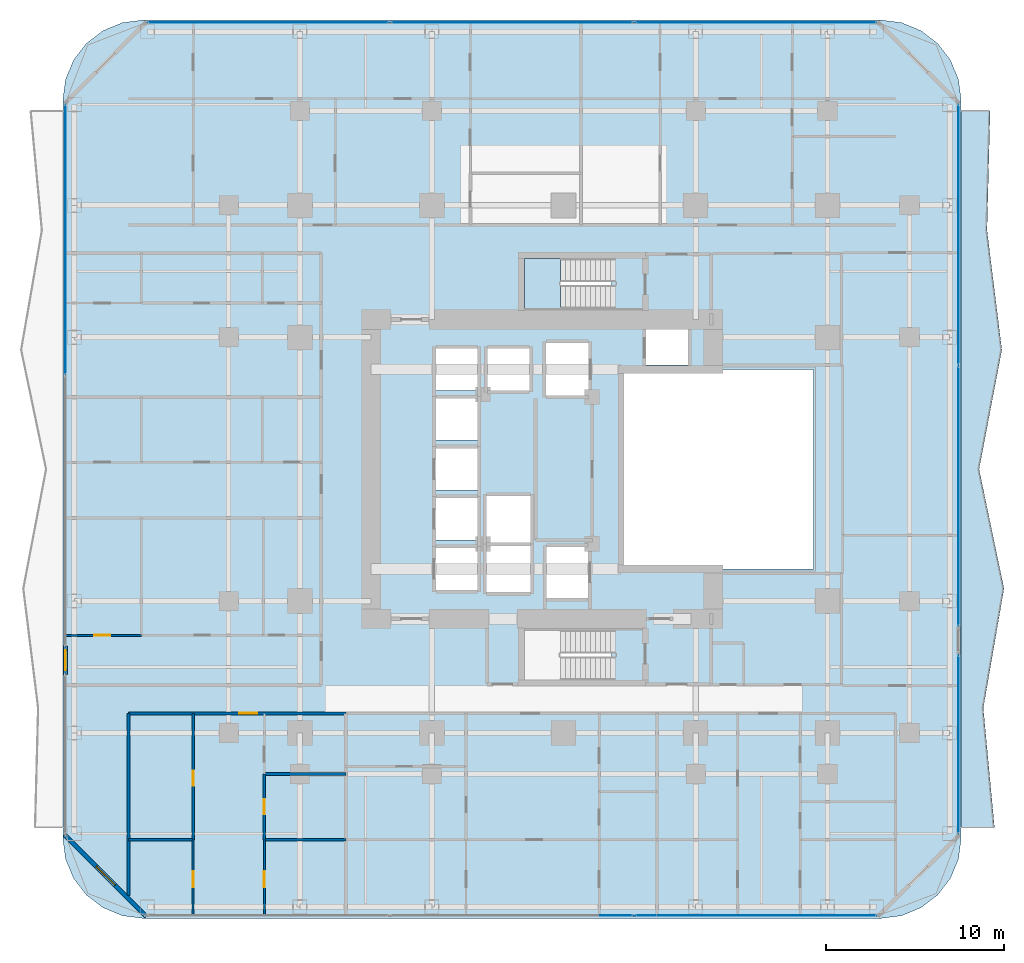
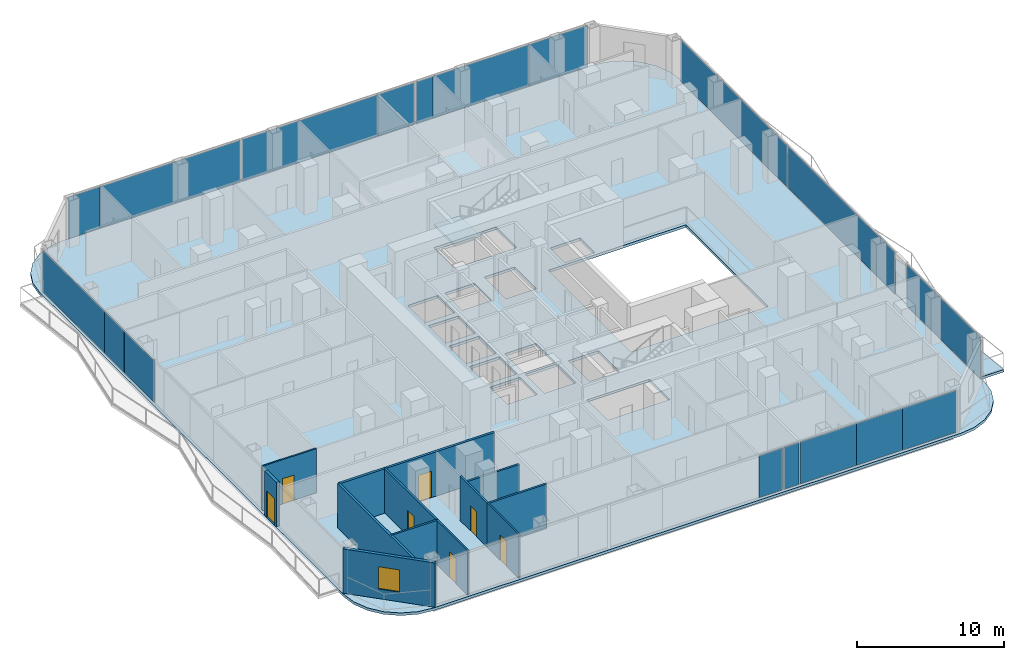
# One storey, part 19 of 29: 18 plates, 12 walls, 7 doors, 3 slabs, 1 window, 8 openings, 6 elements without a shape of their own.
"""IFC4 building model written with IfcOpenShell, lengths in metres."""

from ifc_helpers import new_model, si_unit, direction, frame, frame_2d, origin, origin_2d, place, context, subcontext, project, spatial, polyline, rectangle, outline, extrude, material, layer, layer_set, type_object, element, fill, aggregate, save


model = new_model("IFC4")

# Units and contexts
model_context = context("Model", 3, precision=1e-05, world=origin(), true_north=direction((0.0, 1.0)))
body_context = subcontext(model_context, "Body", "Model", "MODEL_VIEW")
ifc_project = project(units=[si_unit("LENGTHUNIT", "METRE"), si_unit("AREAUNIT", "SQUARE_METRE"), si_unit("VOLUMEUNIT", "CUBIC_METRE"), si_unit("PLANEANGLEUNIT", "RADIAN"), si_unit("MASSUNIT", "GRAM", prefix="KILO")], contexts=[model_context])

# Site, building, storey
site_placement = place(None, origin())
site = spatial("IfcSite", under=ifc_project, at=site_placement, CompositionType="ELEMENT")
building_placement = place(site_placement, origin())
building = spatial("IfcBuilding", under=site, at=building_placement, Name="Khorvyn Point Tower", CompositionType="ELEMENT")
storey_placement = place(building_placement, frame((0.0, 0.0, 61.800048828125)))
storey = spatial("IfcBuildingStorey", under=building, at=storey_placement, Name="L16", CompositionType="ELEMENT", Elevation=61.800048828125)

# Slabs
ifc_material_1 = material(Name="Concrete C35/45", Category="concrete")
ifc_layer_1 = layer(ifc_material_1, 0.219970703125)
ifc_layer_set_1 = layer_set([ifc_layer_1], Name="Concrete C35/45 Structural Floor Slab 220")
slab_type_1 = type_object("IfcSlabType", Name="Concrete C35/45 Structural Floor Slab 220", PredefinedType="FLOOR", material=ifc_layer_set_1)
slab_1_placement = place(storey_placement, frame((0.0, 0.0, -0.219970703125)))
element("IfcSlab", 1, at=slab_1_placement, inside=storey, type_object=slab_type_1, Name="L16 Main Structural Floor Slab", PredefinedType="FLOOR", context=body_context, shape_type="SweptSolid", body=[
    extrude(outline(polyline([(-23.60009765625, -25.199951171875), (-24.7646484375, -25.046630859375), (-25.85009765625, -24.59716796875), (-26.781982421875, -23.882080078125), (-27.4970703125, -22.949951171875), (-27.94677734375, -21.86474609375), (-28.10009765625, -20.699951171875), (-28.10009765625, 20.699951171875), (-27.94677734375, 21.86474609375), (-27.4970703125, 22.949951171875), (-26.781982421875, 23.882080078125), (-25.85009765625, 24.59716796875), (-24.7646484375, 25.046630859375), (-23.60009765625, 25.199951171875), (17.800048828125, 25.199951171875), (18.964599609375, 25.046630859375), (20.050048828125, 24.59716796875), (20.98193359375, 23.882080078125), (21.697021484375, 22.949951171875), (22.146728515625, 21.86474609375), (22.300048828125, 20.699951171875), (22.300048828125, -20.699951171875), (22.146728515625, -21.86474609375), (21.697021484375, -22.949951171875), (20.98193359375, -23.882080078125), (20.050048828125, -24.59716796875), (18.964599609375, -25.046630859375), (17.800048828125, -25.199951171875), (-23.60009765625, -25.199951171875)]), holes=[polyline([(-4.824951171875, -6.77490234375), (-4.824951171875, -4.425048828125), (-7.175048828125, -4.425048828125), (-7.175048828125, -6.77490234375), (-4.824951171875, -6.77490234375)]), polyline([(-4.324951171875, -6.89990234375), (-1.875, -6.89990234375), (-1.875, -4.300048828125), (-4.324951171875, -4.300048828125), (-4.324951171875, -6.89990234375)]), polyline([(-7.175048828125, -3.97509765625), (-4.824951171875, -3.97509765625), (-4.824951171875, -1.625), (-7.175048828125, -1.625), (-7.175048828125, -3.97509765625)]), polyline([(-7.175048828125, -1.175048828125), (-4.824951171875, -1.175048828125), (-4.824951171875, 1.175048828125), (-7.175048828125, 1.175048828125), (-7.175048828125, -1.175048828125)]), polyline([(-7.175048828125, 1.625), (-4.824951171875, 1.625), (-4.824951171875, 3.97509765625), (-7.175048828125, 3.97509765625), (-7.175048828125, 1.625)]), polyline([(-7.175048828125, 4.425048828125), (-4.824951171875, 4.425048828125), (-4.824951171875, 6.77490234375), (-7.175048828125, 6.77490234375), (-7.175048828125, 4.425048828125)]), polyline([(-4.27490234375, 4.425048828125), (-1.925048828125, 4.425048828125), (-1.925048828125, 6.77490234375), (-4.27490234375, 6.77490234375), (-4.27490234375, 4.425048828125)]), polyline([(2.679931640625, -11.820068359375), (2.679931640625, -9.02001953125), (-2.199951171875, -9.02001953125), (-2.199951171875, -11.820068359375), (2.679931640625, -11.820068359375)]), polyline([(-0.97509765625, -7.22509765625), (1.375, -7.22509765625), (1.375, -4.375), (-0.97509765625, -4.375), (-0.97509765625, -7.22509765625)]), polyline([(-4.324951171875, -4.10009765625), (-1.875, -4.10009765625), (-1.875, -1.5), (-4.324951171875, -1.5), (-4.324951171875, -4.10009765625)]), polyline([(3.199951171875, -5.60009765625), (14.0, -5.60009765625), (14.0, 5.60009765625), (3.199951171875, 5.60009765625), (3.199951171875, -5.60009765625)]), polyline([(-1.0, 4.125), (1.39990234375, 4.125), (1.39990234375, 7.074951171875), (-1.0, 7.074951171875), (-1.0, 4.125)]), polyline([(4.625, 5.85009765625), (6.97509765625, 5.85009765625), (6.97509765625, 7.830078125), (4.625, 7.830078125), (4.625, 5.85009765625)]), polyline([(-2.199951171875, 9.02001953125), (2.679931640625, 9.02001953125), (2.679931640625, 11.820068359375), (-2.199951171875, 11.820068359375), (-2.199951171875, 9.02001953125)])]), origin(), (0.0, 0.0, 1.0), 0.219970703125),
])
ifc_material_2 = material(Name="Concrete C40/50", Category="concrete")
ifc_layer_2 = layer(ifc_material_2, 0.2099609375)
ifc_layer_set_2 = layer_set([ifc_layer_2], Name="Concrete C40/50 Rippling Balcony Slab 210")
slab_type_2 = type_object("IfcSlabType", Name="Concrete C40/50 Rippling Balcony Slab 210", PredefinedType="USERDEFINED", material=ifc_layer_set_2)
slab_2_placement = place(storey_placement, frame((0.0, 0.0, -0.2099609375)))
element("IfcSlab", 2, at=slab_2_placement, inside=storey, type_object=slab_type_2, Name="L16 East Sinusoidal Rippling Balcony", ObjectType="BALCONY", PredefinedType="USERDEFINED", context=body_context, shape_type="SweptSolid", body=[
    extrude(outline(polyline([(22.300048828125, -20.10009765625), (24.168212890625, -20.10009765625), (23.53955078125, -13.39990234375), (24.700927734375, -6.699951171875), (23.302978515625, 0.0), (24.580810546875, 6.699951171875), (23.748779296875, 13.39990234375), (23.9228515625, 20.10009765625), (22.300048828125, 20.10009765625), (22.300048828125, -20.10009765625)])), origin(), (0.0, 0.0, 1.0), 0.2099609375),
])

# Stair, slab
stair_type = type_object("IfcStairType", Name="Tower Concrete C40/50 Dogleg Exit Stair", PredefinedType="HALF_TURN_STAIR", material=ifc_material_2)
stair_placement = place(storey_placement, origin())
stair = element("IfcStair", 3, at=stair_placement, inside=storey, type_object=stair_type, Name="L16 Tower Smokeproof Exit Stair North", PredefinedType="HALF_TURN_STAIR")
ifc_layer_3 = layer(ifc_material_2, 0.199951171875)
ifc_layer_set_3 = layer_set([ifc_layer_3], Name="Concrete C40/50 Stair Landing Slab 200")
slab_type_3 = type_object("IfcSlabType", Name="Concrete C40/50 Stair Landing Slab 200", PredefinedType="LANDING", material=ifc_layer_set_3)
slab_3_placement = place(storey_placement, frame((0.0, 0.0, 1.75)))
slab_3 = element("IfcSlab", 4, at=slab_3_placement, type_object=slab_type_3, Name="ST-02 landing 1", PredefinedType="LANDING", context=body_context, shape_type="SweptSolid", body=[
    extrude(outline(polyline([(-0.179931640625, 11.820068359375), (-2.199951171875, 11.820068359375), (-2.199951171875, 9.02001953125), (-0.179931640625, 9.02001953125), (-0.179931640625, 11.820068359375)])), origin(), (0.0, 0.0, 1.0), 0.199951171875),
])
aggregate(stair, [slab_3])

# Curtain wall, plates
ifc_material_3 = material(Name="Anodised aluminium 6063-T6 and laminated Low-E glass", Category="aluminium")
ifc_layer_4 = layer(ifc_material_3, 0.18994140625)
ifc_layer_set_4 = layer_set([ifc_layer_4], Name="Stick-Built Finned Residential Curtain Wall CW-SYS-02")
curtain_wall_type = type_object("IfcCurtainWallType", Name="Stick-Built Finned Residential Curtain Wall CW-SYS-02", PredefinedType="NOTDEFINED", material=ifc_layer_set_4)
curtain_wall_1_placement = place(storey_placement, origin())
curtain_wall_1 = element("IfcCurtainWall", 5, at=curtain_wall_1_placement, inside=storey, type_object=curtain_wall_type, Name="Curtain Wall", PredefinedType="NOTDEFINED")
ifc_material_4 = material(Name="Laminated Low-E insulated glass", Category="glass")
ifc_layer_5 = layer(ifc_material_4, 0.028076171875)
ifc_layer_set_5 = layer_set([ifc_layer_5], Name="Tempered Low-E Vision Glazing Panel CW-GL28")
plate_type = type_object("IfcPlateType", Name="Tempered Low-E Vision Glazing Panel CW-GL28", PredefinedType="CURTAIN_PANEL", material=ifc_layer_set_5)
plate_1_placement = place(storey_placement, frame((4.591064453125, -25.050048828125, 0.099853515625), z_axis=(0.0, 0.0, 1.0), x_axis=(-1.0, 0.0, 0.0)))
plate_1 = element("IfcPlate", 6, at=plate_1_placement, type_object=plate_type, Name="Panel", PredefinedType="CURTAIN_PANEL", context=body_context, shape_type="SweptSolid", body=[
    extrude(rectangle(XDim=1.174072265625, YDim=0.028076171875, at=origin_2d()), origin(), (0.0, 0.0, 1.0), 3.47998046875),
])
plate_2_placement = place(storey_placement, frame((7.5029296875, -25.050048828125, 0.099853515625), z_axis=(0.0, 0.0, 1.0), x_axis=(-1.0, 0.0, 0.0)))
plate_2 = element("IfcPlate", 7, at=plate_2_placement, type_object=plate_type, Name="Panel", PredefinedType="CURTAIN_PANEL", context=body_context, shape_type="SweptSolid", body=[
    extrude(rectangle(XDim=4.39404296875, YDim=0.028076171875, at=origin_2d()), origin(), (0.0, 0.0, 1.0), 3.47998046875),
])
plate_3_placement = place(storey_placement, frame((11.5166015625, -25.050048828125, 0.099853515625), z_axis=(0.0, 0.0, 1.0), x_axis=(-1.0, 0.0, 0.0)))
plate_3 = element("IfcPlate", 8, at=plate_3_placement, type_object=plate_type, Name="Panel", PredefinedType="CURTAIN_PANEL", context=body_context, shape_type="SweptSolid", body=[
    extrude(rectangle(XDim=3.616943359375, YDim=0.028076171875, at=origin_2d()), origin(), (0.0, 0.0, 1.0), 3.47998046875),
])
plate_4_placement = place(storey_placement, frame((15.439453125, -25.050048828125, 0.099853515625), z_axis=(0.0, 0.0, 1.0), x_axis=(-1.0, 0.0, 0.0)))
plate_4 = element("IfcPlate", 9, at=plate_4_placement, type_object=plate_type, Name="Panel", PredefinedType="CURTAIN_PANEL", context=body_context, shape_type="SweptSolid", body=[
    extrude(rectangle(XDim=4.212890625, YDim=0.028076171875, at=origin_2d()), origin(), (0.0, 0.0, 1.0), 3.47998046875),
])
plate_5_placement = place(storey_placement, frame((2.97705078125, -25.050048828125, 0.099853515625), z_axis=(0.0, 0.0, 1.0), x_axis=(-1.0, 0.0, 0.0)))
plate_5 = element("IfcPlate", 10, at=plate_5_placement, type_object=plate_type, Name="Panel", PredefinedType="CURTAIN_PANEL", context=body_context, shape_type="SweptSolid", body=[
    extrude(rectangle(XDim=1.837890625, YDim=0.028076171875, at=origin_2d()), origin(), (0.0, 0.0, 1.0), 3.47998046875),
])
aggregate(curtain_wall_1, [plate_1, plate_2, plate_3, plate_4, plate_5])

curtain_wall_2_placement = place(storey_placement, origin())
curtain_wall_2 = element("IfcCurtainWall", 11, at=curtain_wall_2_placement, inside=storey, type_object=curtain_wall_type, Name="Curtain Wall", PredefinedType="NOTDEFINED")
plate_6_placement = place(storey_placement, frame((-22.093017578125, 25.050048828125, 0.099853515625), z_axis=(0.0, 0.0, 1.0), x_axis=(1.0, 0.0, 0.0)))
plate_6 = element("IfcPlate", 12, at=plate_6_placement, type_object=plate_type, Name="Panel", PredefinedType="CURTAIN_PANEL", context=body_context, shape_type="SweptSolid", body=[
    extrude(rectangle(XDim=2.506103515625, YDim=0.028076171875, at=origin_2d()), origin(), (0.0, 0.0, 1.0), 3.47998046875),
])
plate_7_placement = place(storey_placement, frame((-15.318115234375, 25.050048828125, 0.099853515625), z_axis=(0.0, 0.0, 1.0), x_axis=(1.0, 0.0, 0.0)))
plate_7 = element("IfcPlate", 13, at=plate_7_placement, type_object=plate_type, Name="Panel", PredefinedType="CURTAIN_PANEL", context=body_context, shape_type="SweptSolid", body=[
    extrude(rectangle(XDim=11.028076171875, YDim=0.028076171875, at=origin_2d()), origin(), (0.0, 0.0, 1.0), 3.47998046875),
])
plate_8_placement = place(storey_placement, frame((-4.3330078125, 25.050048828125, 0.099853515625), z_axis=(0.0, 0.0, 1.0), x_axis=(1.0, 0.0, 0.0)))
plate_8 = element("IfcPlate", 14, at=plate_8_placement, type_object=plate_type, Name="Panel", PredefinedType="CURTAIN_PANEL", context=body_context, shape_type="SweptSolid", body=[
    extrude(rectangle(XDim=10.72607421875, YDim=0.028076171875, at=origin_2d()), origin(), (0.0, 0.0, 1.0), 3.47998046875),
])
plate_9_placement = place(storey_placement, frame((2.467041015625, 25.050048828125, 0.099853515625), z_axis=(0.0, 0.0, 1.0), x_axis=(1.0, 0.0, 0.0)))
plate_9 = element("IfcPlate", 15, at=plate_9_placement, type_object=plate_type, Name="Panel", PredefinedType="CURTAIN_PANEL", context=body_context, shape_type="SweptSolid", body=[
    extrude(rectangle(XDim=2.85791015625, YDim=0.028076171875, at=origin_2d()), origin(), (0.0, 0.0, 1.0), 3.47998046875),
])
plate_10_placement = place(storey_placement, frame((4.676025390625, 25.050048828125, 0.099853515625), z_axis=(0.0, 0.0, 1.0), x_axis=(1.0, 0.0, 0.0)))
plate_10 = element("IfcPlate", 16, at=plate_10_placement, type_object=plate_type, Name="Panel", PredefinedType="CURTAIN_PANEL", context=body_context, shape_type="SweptSolid", body=[
    extrude(rectangle(XDim=1.343994140625, YDim=0.028076171875, at=origin_2d()), origin(), (0.0, 0.0, 1.0), 3.47998046875),
])
plate_11_placement = place(storey_placement, frame((9.1220703125, 25.050048828125, 0.099853515625), z_axis=(0.0, 0.0, 1.0), x_axis=(1.0, 0.0, 0.0)))
plate_11 = element("IfcPlate", 17, at=plate_11_placement, type_object=plate_type, Name="Panel", PredefinedType="CURTAIN_PANEL", context=body_context, shape_type="SweptSolid", body=[
    extrude(rectangle(XDim=7.531982421875, YDim=0.028076171875, at=origin_2d()), origin(), (0.0, 0.0, 1.0), 3.47998046875),
])
plate_12_placement = place(storey_placement, frame((15.220947265625, 25.050048828125, 0.099853515625), z_axis=(0.0, 0.0, 1.0), x_axis=(1.0, 0.0, 0.0)))
plate_12 = element("IfcPlate", 18, at=plate_12_placement, type_object=plate_type, Name="Panel", PredefinedType="CURTAIN_PANEL", context=body_context, shape_type="SweptSolid", body=[
    extrude(rectangle(XDim=4.64990234375, YDim=0.028076171875, at=origin_2d()), origin(), (0.0, 0.0, 1.0), 3.47998046875),
])
aggregate(curtain_wall_2, [plate_6, plate_7, plate_8, plate_9, plate_10, plate_11, plate_12])

curtain_wall_3_placement = place(storey_placement, origin())
curtain_wall_3 = element("IfcCurtainWall", 19, at=curtain_wall_3_placement, inside=storey, type_object=curtain_wall_type, Name="Curtain Wall", PredefinedType="NOTDEFINED")
plate_13_placement = place(storey_placement, frame((-27.949951171875, 7.3525390625, 0.099853515625), z_axis=(0.0, 0.0, 1.0), x_axis=(0.0, 1.0, 0.0)))
plate_13 = element("IfcPlate", 20, at=plate_13_placement, type_object=plate_type, Name="Panel", PredefinedType="CURTAIN_PANEL", context=body_context, shape_type="SweptSolid", body=[
    extrude(rectangle(XDim=4.047119140625, YDim=0.028076171875, at=origin_2d()), origin(), (0.0, 0.0, 1.0), 3.47998046875),
])
plate_14_placement = place(storey_placement, frame((-27.949951171875, 10.719970703125, 0.099853515625), z_axis=(0.0, 0.0, 1.0), x_axis=(0.0, 1.0, 0.0)))
plate_14 = element("IfcPlate", 21, at=plate_14_placement, type_object=plate_type, Name="Panel", PredefinedType="CURTAIN_PANEL", context=body_context, shape_type="SweptSolid", body=[
    extrude(rectangle(XDim=2.672119140625, YDim=0.028076171875, at=origin_2d()), origin(), (0.0, 0.0, 1.0), 3.47998046875),
])
plate_15_placement = place(storey_placement, frame((-27.949951171875, 16.2548828125, 0.099853515625), z_axis=(0.0, 0.0, 1.0), x_axis=(0.0, 1.0, 0.0)))
plate_15 = element("IfcPlate", 22, at=plate_15_placement, type_object=plate_type, Name="Panel", PredefinedType="CURTAIN_PANEL", context=body_context, shape_type="SweptSolid", body=[
    extrude(rectangle(XDim=8.382080078125, YDim=0.028076171875, at=origin_2d()), origin(), (0.0, 0.0, 1.0), 3.47998046875),
])
aggregate(curtain_wall_3, [plate_13, plate_14, plate_15])

curtain_wall_4_placement = place(storey_placement, origin())
curtain_wall_4 = element("IfcCurtainWall", 23, at=curtain_wall_4_placement, inside=storey, type_object=curtain_wall_type, Name="Curtain Wall", PredefinedType="NOTDEFINED")
plate_16_placement = place(storey_placement, frame((22.14990234375, 13.166259765625, 0.099853515625), z_axis=(0.0, 0.0, 1.0), x_axis=(0.0, -1.0, 0.0)))
plate_16 = element("IfcPlate", 24, at=plate_16_placement, type_object=plate_type, Name="Panel", PredefinedType="CURTAIN_PANEL", context=body_context, shape_type="SweptSolid", body=[
    extrude(rectangle(XDim=14.5673828125, YDim=0.028076171875, at=origin_2d()), origin(), (0.0, 0.0, 1.0), 3.47998046875),
])
plate_17_placement = place(storey_placement, frame((22.14990234375, -1.501220703125, 0.099853515625), z_axis=(0.0, 0.0, 1.0), x_axis=(0.0, -1.0, 0.0)))
plate_17 = element("IfcPlate", 25, at=plate_17_placement, type_object=plate_type, Name="Panel", PredefinedType="CURTAIN_PANEL", context=body_context, shape_type="SweptSolid", body=[
    extrude(rectangle(XDim=14.5673828125, YDim=0.028076171875, at=origin_2d()), origin(), (0.0, 0.0, 1.0), 3.47998046875),
])
aggregate(curtain_wall_4, [plate_16, plate_17])

# Curtain wall, plate
curtain_wall_5_placement = place(storey_placement, origin())
curtain_wall_5 = element("IfcCurtainWall", 26, at=curtain_wall_5_placement, inside=storey, type_object=curtain_wall_type, Name="Curtain Wall", PredefinedType="NOTDEFINED")
plate_18_placement = place(storey_placement, frame((22.14990234375, -15.4375, 0.099853515625), z_axis=(0.0, 0.0, 1.0), x_axis=(0.0, -1.0, 0.0)))
plate_18 = element("IfcPlate", 27, at=plate_18_placement, type_object=plate_type, Name="Panel", PredefinedType="CURTAIN_PANEL", context=body_context, shape_type="SweptSolid", body=[
    extrude(rectangle(XDim=10.02490234375, YDim=0.028076171875, at=origin_2d()), origin(), (0.0, 0.0, 1.0), 3.47998046875),
])
aggregate(curtain_wall_5, [plate_18])

# Wall, opening, door
ifc_material_5 = material(Name="Double acoustic gypsum on twin steel stud", Category="steel")
ifc_layer_6 = layer(ifc_material_5, 0.179931640625)
ifc_layer_set_6 = layer_set([ifc_layer_6], Name="Acoustic Double-Stud Apartment Demising Wall 180")
wall_type_1 = type_object("IfcWallType", Name="Acoustic Double-Stud Apartment Demising Wall 180", PredefinedType="PARTITIONING", material=ifc_layer_set_6)
wall_1_placement = place(storey_placement, frame((-24.419921875, -13.699951171875, 0.0), z_axis=(0.0, 0.0, 1.0), x_axis=(1.0, 0.0, 0.0)))
wall_1 = element("IfcWall", 28, at=wall_1_placement, inside=storey, type_object=wall_type_1, Name="Wall", PredefinedType="PARTITIONING", context=body_context, shape_type="SweptSolid", body=[
    extrude(rectangle(XDim=12.19482421875, YDim=0.179931640625, at=frame_2d((6.097412109375, 0.0))), origin(), (0.0, 0.0, 1.0), 3.679931640625),
])
opening_1_placement = place(wall_1_placement, frame((6.221435546875, 0.0, 0.0)))
opening_1 = element("IfcOpeningElement", 29, at=opening_1_placement, cuts=wall_1, Name="Opening ID-AP60", PredefinedType="OPENING", context=body_context, shape_type="SweptSolid", body=[
    extrude(rectangle(XDim=1.0, YDim=2.199951171875, at=frame_2d((0.5, 1.10009765625))), frame((0.0, 0.099853515625, 0.0), z_axis=(0.0, -1.0, 0.0), x_axis=(1.0, 0.0, 0.0)), (0.0, 0.0, 1.0), 0.199951171875),
])
ifc_material_6 = material(Name="Engineered hardwood fire-rated leaf", Category="wood")
door_type_1 = type_object("IfcDoorType", Name="Acoustic Solid-Core Timber Apartment Entrance Door 1000x2200", OperationType="NOTDEFINED", PredefinedType="DOOR", material=ifc_material_6)
door_1_placement = place(opening_1_placement, origin())
door_1 = element("IfcDoor", 30, at=door_1_placement, inside=storey, type_object=door_type_1, Name="Door", OperationType="SINGLE_SWING_LEFT", OverallHeight=2.199951171875, OverallWidth=1.0, PredefinedType="DOOR", context=body_context, shape_type="SweptSolid", body=[
    extrude(rectangle(XDim=1.0, YDim=2.199951171875, at=frame_2d((0.5, 1.10009765625))), frame((0.0, 0.02490234375, 0.0), z_axis=(0.0, -1.0, 0.0), x_axis=(1.0, 0.0, 0.0)), (0.0, 0.0, 1.0), 0.050048828125),
])
fill(opening_1, door_1)

# Wall
wall_2_placement = place(storey_placement, frame((-24.419921875, -23.909912109375, 0.0), z_axis=(0.0, 0.0, 1.0), x_axis=(0.0, 1.0, 0.0)))
element("IfcWall", 31, at=wall_2_placement, inside=storey, type_object=wall_type_1, Name="Wall", PredefinedType="PARTITIONING", context=body_context, shape_type="SweptSolid", body=[
    extrude(rectangle(XDim=10.2099609375, YDim=0.179931640625, at=frame_2d((5.10498046875, 0.0))), origin(), (0.0, 0.0, 1.0), 3.679931640625),
])

# Wall, opening, door
ifc_material_7 = material(Name="Pale anodised aluminium rainscreen on steel stud", Category="steel")
ifc_layer_7 = layer(ifc_material_7, 0.239990234375)
ifc_layer_set_7 = layer_set([ifc_layer_7], Name="Anodised Aluminium Insulated Corner Spandrel Wall 240")
wall_type_2 = type_object("IfcWallType", Name="Anodised Aluminium Insulated Corner Spandrel Wall 240", PredefinedType="SOLIDWALL", material=ifc_layer_set_7)
wall_3_placement = place(storey_placement, frame((-27.949951171875, -11.510009765625, 0.0), z_axis=(0.0, 0.0, 1.0), x_axis=(0.0, 1.0, 0.0)))
wall_3 = element("IfcWall", 32, at=wall_3_placement, inside=storey, type_object=wall_type_2, Name="L16 West Outdoor Threshold Wall", PredefinedType="SOLIDWALL", context=body_context, shape_type="SweptSolid", body=[
    extrude(rectangle(XDim=1.580078125, YDim=0.239990234375, at=frame_2d((0.7900390625, 0.0))), origin(), (0.0, 0.0, 1.0), 3.679931640625),
])
opening_2_placement = place(wall_3_placement, frame((0.239990234375, 0.0, 0.0)))
opening_2 = element("IfcOpeningElement", 33, at=opening_2_placement, cuts=wall_3, Name="Opening BD-1122", PredefinedType="OPENING", context=body_context, shape_type="SweptSolid", body=[
    extrude(rectangle(XDim=1.10009765625, YDim=2.199951171875, at=frame_2d((0.550048828125, 1.10009765625))), frame((0.0, 0.1298828125, 0.0), z_axis=(0.0, -1.0, 0.0), x_axis=(1.0, 0.0, 0.0)), (0.0, 0.0, 1.0), 0.260009765625),
])
door_type_2 = type_object("IfcDoorType", Name="Glazed Balcony and Terrace Threshold Door 1100x2200", OperationType="NOTDEFINED", PredefinedType="DOOR", material=ifc_material_3)
door_2_placement = place(opening_2_placement, origin())
door_2 = element("IfcDoor", 34, at=door_2_placement, inside=storey, type_object=door_type_2, Name="L16 West Glazed Balcony Outdoor Door", OperationType="SINGLE_SWING_RIGHT", OverallHeight=2.199951171875, OverallWidth=1.10009765625, PredefinedType="DOOR", context=body_context, shape_type="SweptSolid", body=[
    extrude(rectangle(XDim=1.10009765625, YDim=2.199951171875, at=frame_2d((0.550048828125, 1.10009765625))), frame((0.0, 0.02490234375, 0.0), z_axis=(0.0, -1.0, 0.0), x_axis=(1.0, 0.0, 0.0)), (0.0, 0.0, 1.0), 0.050048828125),
])
fill(opening_2, door_2)

# Wall, opening, window
wall_4_placement = place(storey_placement, frame((-23.40771484375, -25.09228515625, 0.0), z_axis=(0.0, 0.0, 1.0), x_axis=(-0.707106781187, 0.707106781187, 0.0)))
wall_4 = element("IfcWall", 35, at=wall_4_placement, inside=storey, type_object=wall_type_2, Name="L16 Rounded Corner Wall SW", PredefinedType="SOLIDWALL", context=body_context, shape_type="SweptSolid", body=[
    extrude(rectangle(XDim=6.48388671875, YDim=0.239990234375, at=frame_2d((3.241943359375, 0.0))), origin(), (0.0, 0.0, 1.0), 3.679931640625),
])
opening_3_placement = place(wall_4_placement, frame((2.491943359375, 0.0, 0.800048828125)))
opening_3 = element("IfcOpeningElement", 36, at=opening_3_placement, cuts=wall_4, Name="Opening WN-1518", PredefinedType="OPENING", context=body_context, shape_type="SweptSolid", body=[
    extrude(rectangle(XDim=1.5, YDim=1.85009765625, at=frame_2d((0.75, 0.925048828125))), frame((0.0, 0.1298828125, 0.0), z_axis=(0.0, -1.0, 0.0), x_axis=(1.0, 0.0, 0.0)), (0.0, 0.0, 1.0), 0.260009765625),
])
window_type = type_object("IfcWindowType", Name="Anodised Aluminium Rounded-Corner Panoramic Window 1500x1850", PartitioningType="SINGLE_PANEL", PredefinedType="WINDOW", material=ifc_material_3)
window_placement = place(opening_3_placement, origin())
window = element("IfcWindow", 37, at=window_placement, inside=storey, type_object=window_type, Name="L16 Corner Panoramic Window SW", OverallHeight=1.85009765625, OverallWidth=1.5, PartitioningType="SINGLE_PANEL", PredefinedType="WINDOW", context=body_context, shape_type="SweptSolid", body=[
    extrude(rectangle(XDim=1.5, YDim=1.85009765625, at=frame_2d((0.75, 0.925048828125))), frame((0.0, 0.030029296875, 0.0), z_axis=(0.0, -1.0, 0.0), x_axis=(1.0, 0.0, 0.0)), (0.0, 0.0, 1.0), 0.06005859375),
])
fill(opening_3, window)

# Wall, opening, door
ifc_material_8 = material(Name="Gypsum plasterboard on steel stud", Category="steel")
ifc_layer_8 = layer(ifc_material_8, 0.1201171875)
ifc_layer_set_8 = layer_set([ifc_layer_8], Name="Gypsum Acoustic Stud Room Partition Wall 120")
wall_type_3 = type_object("IfcWallType", Name="Gypsum Acoustic Stud Room Partition Wall 120", PredefinedType="PARTITIONING", material=ifc_layer_set_8)
wall_5_placement = place(storey_placement, frame((-20.7900390625, -25.030029296875, 0.0), z_axis=(0.0, 0.0, 1.0), x_axis=(0.0, 1.0, 0.0)))
wall_5 = element("IfcWall", 38, at=wall_5_placement, inside=storey, type_object=wall_type_3, Name="Wall", PredefinedType="PARTITIONING", context=body_context, shape_type="SweptSolid", body=[
    extrude(rectangle(XDim=4.239990234375, YDim=0.1201171875, at=frame_2d((2.1201171875, 0.0))), origin(), (0.0, 0.0, 1.0), 3.679931640625),
])
opening_4_placement = place(wall_5_placement, frame((1.581298828125, 0.0, 0.0)))
opening_4 = element("IfcOpeningElement", 39, at=opening_4_placement, cuts=wall_5, Name="Opening ID-RM90", PredefinedType="OPENING", context=body_context, shape_type="SweptSolid", body=[
    extrude(rectangle(XDim=0.89990234375, YDim=2.10009765625, at=frame_2d((0.449951171875, 1.050048828125))), frame((0.0, 0.070068359375, 0.0), z_axis=(0.0, -1.0, 0.0), x_axis=(1.0, 0.0, 0.0)), (0.0, 0.0, 1.0), 0.14013671875),
])
ifc_material_9 = material(Name="Engineered oak veneer timber", Category="wood")
door_type_3 = type_object("IfcDoorType", Name="Flush Engineered Timber Room Door 900x2100", OperationType="NOTDEFINED", PredefinedType="DOOR", material=ifc_material_9)
door_3_placement = place(opening_4_placement, origin())
door_3 = element("IfcDoor", 40, at=door_3_placement, inside=storey, type_object=door_type_3, Name="Door", OperationType="SINGLE_SWING_LEFT", OverallHeight=2.10009765625, OverallWidth=0.89990234375, PredefinedType="DOOR", context=body_context, shape_type="SweptSolid", body=[
    extrude(rectangle(XDim=0.89990234375, YDim=2.10009765625, at=frame_2d((0.449951171875, 1.050048828125))), frame((0.0, 0.02490234375, 0.0), z_axis=(0.0, -1.0, 0.0), x_axis=(1.0, 0.0, 0.0)), (0.0, 0.0, 1.0), 0.050048828125),
])
fill(opening_4, door_3)

wall_6_placement = place(storey_placement, frame((-16.791015625, -25.030029296875, 0.0), z_axis=(0.0, 0.0, 1.0), x_axis=(0.0, 1.0, 0.0)))
wall_6 = element("IfcWall", 41, at=wall_6_placement, inside=storey, type_object=wall_type_3, Name="Wall", PredefinedType="PARTITIONING", context=body_context, shape_type="SweptSolid", body=[
    extrude(rectangle(XDim=4.239990234375, YDim=0.1201171875, at=frame_2d((2.1201171875, 0.0))), origin(), (0.0, 0.0, 1.0), 3.679931640625),
])
opening_5_placement = place(wall_6_placement, frame((1.581298828125, 0.0, 0.0)))
opening_5 = element("IfcOpeningElement", 42, at=opening_5_placement, cuts=wall_6, Name="Opening ID-RM90", PredefinedType="OPENING", context=body_context, shape_type="SweptSolid", body=[
    extrude(rectangle(XDim=0.89990234375, YDim=2.10009765625, at=frame_2d((0.449951171875, 1.050048828125))), frame((0.0, 0.070068359375, 0.0), z_axis=(0.0, -1.0, 0.0), x_axis=(1.0, 0.0, 0.0)), (0.0, 0.0, 1.0), 0.14013671875),
])
door_4_placement = place(opening_5_placement, origin())
door_4 = element("IfcDoor", 43, at=door_4_placement, inside=storey, type_object=door_type_3, Name="Door", OperationType="SINGLE_SWING_RIGHT", OverallHeight=2.10009765625, OverallWidth=0.89990234375, PredefinedType="DOOR", context=body_context, shape_type="SweptSolid", body=[
    extrude(rectangle(XDim=0.89990234375, YDim=2.10009765625, at=frame_2d((0.449951171875, 1.050048828125))), frame((0.0, 0.02490234375, 0.0), z_axis=(0.0, -1.0, 0.0), x_axis=(1.0, 0.0, 0.0)), (0.0, 0.0, 1.0), 0.050048828125),
])
fill(opening_5, door_4)

wall_7_placement = place(storey_placement, frame((-27.929931640625, -9.320068359375, 0.0), z_axis=(0.0, 0.0, 1.0), x_axis=(1.0, 0.0, 0.0)))
wall_7 = element("IfcWall", 44, at=wall_7_placement, inside=storey, type_object=wall_type_3, Name="Wall", PredefinedType="PARTITIONING", context=body_context, shape_type="SweptSolid", body=[
    extrude(rectangle(XDim=4.239990234375, YDim=0.1201171875, at=frame_2d((2.1201171875, 0.0))), origin(), (0.0, 0.0, 1.0), 3.679931640625),
])
opening_6_placement = place(wall_7_placement, frame((1.581298828125, 0.0, 0.0)))
opening_6 = element("IfcOpeningElement", 45, at=opening_6_placement, cuts=wall_7, Name="Opening ID-RM90", PredefinedType="OPENING", context=body_context, shape_type="SweptSolid", body=[
    extrude(rectangle(XDim=0.89990234375, YDim=2.10009765625, at=frame_2d((0.449951171875, 1.050048828125))), frame((0.0, 0.070068359375, 0.0), z_axis=(0.0, -1.0, 0.0), x_axis=(1.0, 0.0, 0.0)), (0.0, 0.0, 1.0), 0.14013671875),
])
door_5_placement = place(opening_6_placement, origin())
door_5 = element("IfcDoor", 46, at=door_5_placement, inside=storey, type_object=door_type_3, Name="Door", OperationType="SINGLE_SWING_RIGHT", OverallHeight=2.10009765625, OverallWidth=0.89990234375, PredefinedType="DOOR", context=body_context, shape_type="SweptSolid", body=[
    extrude(rectangle(XDim=0.89990234375, YDim=2.10009765625, at=frame_2d((0.449951171875, 1.050048828125))), frame((0.0, 0.02490234375, 0.0), z_axis=(0.0, -1.0, 0.0), x_axis=(1.0, 0.0, 0.0)), (0.0, 0.0, 1.0), 0.050048828125),
])
fill(opening_6, door_5)

ifc_material_10 = material(Name="Moisture-resistant gypsum and cement board", Category="gypsum")
ifc_layer_9 = layer(ifc_material_10, 0.14990234375)
ifc_layer_set_9 = layer_set([ifc_layer_9], Name="Moisture-Resistant Wet-Room Partition Wall 150")
wall_type_4 = type_object("IfcWallType", Name="Moisture-Resistant Wet-Room Partition Wall 150", PredefinedType="PARTITIONING", material=ifc_layer_set_9)
wall_8_placement = place(storey_placement, frame((-20.7900390625, -20.7900390625, 0.0), z_axis=(0.0, 0.0, 1.0), x_axis=(0.0, 1.0, 0.0)))
wall_8 = element("IfcWall", 47, at=wall_8_placement, inside=storey, type_object=wall_type_4, Name="Wall", PredefinedType="PARTITIONING", context=body_context, shape_type="SweptSolid", body=[
    extrude(rectangle(XDim=7.090087890625, YDim=0.14990234375, at=frame_2d((3.544921875, 0.0))), origin(), (0.0, 0.0, 1.0), 3.679931640625),
])
opening_7_placement = place(wall_8_placement, frame((3.0302734375, 0.0, 0.0)))
opening_7 = element("IfcOpeningElement", 48, at=opening_7_placement, cuts=wall_8, Name="Opening ID-WC85", PredefinedType="OPENING", context=body_context, shape_type="SweptSolid", body=[
    extrude(rectangle(XDim=0.85009765625, YDim=2.10009765625, at=frame_2d((0.425048828125, 1.050048828125))), frame((0.0, 0.0849609375, 0.0), z_axis=(0.0, -1.0, 0.0), x_axis=(1.0, 0.0, 0.0)), (0.0, 0.0, 1.0), 0.169921875),
])
ifc_material_11 = material(Name="High-pressure laminate on moisture-resistant core", Category="wood")
door_type_4 = type_object("IfcDoorType", Name="Moisture-Resistant Accessible Washroom Door 850x2100", OperationType="NOTDEFINED", PredefinedType="DOOR", material=ifc_material_11)
door_6_placement = place(opening_7_placement, origin())
door_6 = element("IfcDoor", 49, at=door_6_placement, inside=storey, type_object=door_type_4, Name="Door", OperationType="SINGLE_SWING_RIGHT", OverallHeight=2.10009765625, OverallWidth=0.85009765625, PredefinedType="DOOR", context=body_context, shape_type="SweptSolid", body=[
    extrude(rectangle(XDim=0.85009765625, YDim=2.10009765625, at=frame_2d((0.425048828125, 1.050048828125))), frame((0.0, 0.02490234375, 0.0), z_axis=(0.0, -1.0, 0.0), x_axis=(1.0, 0.0, 0.0)), (0.0, 0.0, 1.0), 0.050048828125),
])
fill(opening_7, door_6)

wall_9_placement = place(storey_placement, frame((-16.791015625, -20.7900390625, 0.0), z_axis=(0.0, 0.0, 1.0), x_axis=(0.0, 1.0, 0.0)))
wall_9 = element("IfcWall", 50, at=wall_9_placement, inside=storey, type_object=wall_type_4, Name="Wall", PredefinedType="PARTITIONING", context=body_context, shape_type="SweptSolid", body=[
    extrude(rectangle(XDim=3.68994140625, YDim=0.14990234375, at=frame_2d((1.844970703125, 0.0))), origin(), (0.0, 0.0, 1.0), 3.679931640625),
])
opening_8_placement = place(wall_9_placement, frame((1.419921875, 0.0, 0.0)))
opening_8 = element("IfcOpeningElement", 51, at=opening_8_placement, cuts=wall_9, Name="Opening ID-WC85", PredefinedType="OPENING", context=body_context, shape_type="SweptSolid", body=[
    extrude(rectangle(XDim=0.85009765625, YDim=2.10009765625, at=frame_2d((0.425048828125, 1.050048828125))), frame((0.0, 0.0849609375, 0.0), z_axis=(0.0, -1.0, 0.0), x_axis=(1.0, 0.0, 0.0)), (0.0, 0.0, 1.0), 0.169921875),
])
door_7_placement = place(opening_8_placement, origin())
door_7 = element("IfcDoor", 52, at=door_7_placement, inside=storey, type_object=door_type_4, Name="Door", OperationType="SINGLE_SWING_RIGHT", OverallHeight=2.10009765625, OverallWidth=0.85009765625, PredefinedType="DOOR", context=body_context, shape_type="SweptSolid", body=[
    extrude(rectangle(XDim=0.85009765625, YDim=2.10009765625, at=frame_2d((0.425048828125, 1.050048828125))), frame((0.0, 0.02490234375, 0.0), z_axis=(0.0, -1.0, 0.0), x_axis=(1.0, 0.0, 0.0)), (0.0, 0.0, 1.0), 0.050048828125),
])
fill(opening_8, door_7)

# Walls
wall_10_placement = place(storey_placement, frame((-24.419921875, -20.7900390625, 0.0), z_axis=(0.0, 0.0, 1.0), x_axis=(1.0, 0.0, 0.0)))
element("IfcWall", 53, at=wall_10_placement, inside=storey, type_object=wall_type_4, Name="Wall", PredefinedType="PARTITIONING", context=body_context, shape_type="SweptSolid", body=[
    extrude(rectangle(XDim=3.6298828125, YDim=0.14990234375, at=frame_2d((1.81494140625, 0.0))), origin(), (0.0, 0.0, 1.0), 3.679931640625),
])
wall_11_placement = place(storey_placement, frame((-16.791015625, -17.10009765625, 0.0), z_axis=(0.0, 0.0, 1.0), x_axis=(1.0, 0.0, 0.0)))
element("IfcWall", 54, at=wall_11_placement, inside=storey, type_object=wall_type_4, Name="Wall", PredefinedType="PARTITIONING", context=body_context, shape_type="SweptSolid", body=[
    extrude(rectangle(XDim=4.56591796875, YDim=0.14990234375, at=frame_2d((2.282958984375, 0.0))), origin(), (0.0, 0.0, 1.0), 3.08203125),
])
wall_12_placement = place(storey_placement, frame((-16.791015625, -20.7900390625, 0.0), z_axis=(0.0, 0.0, 1.0), x_axis=(1.0, 0.0, 0.0)))
element("IfcWall", 55, at=wall_12_placement, inside=storey, type_object=wall_type_4, Name="Wall", PredefinedType="PARTITIONING", context=body_context, shape_type="SweptSolid", body=[
    extrude(rectangle(XDim=4.56591796875, YDim=0.14990234375, at=frame_2d((2.282958984375, 0.0))), origin(), (0.0, 0.0, 1.0), 3.679931640625),
])

save(model, "model.ifc")
